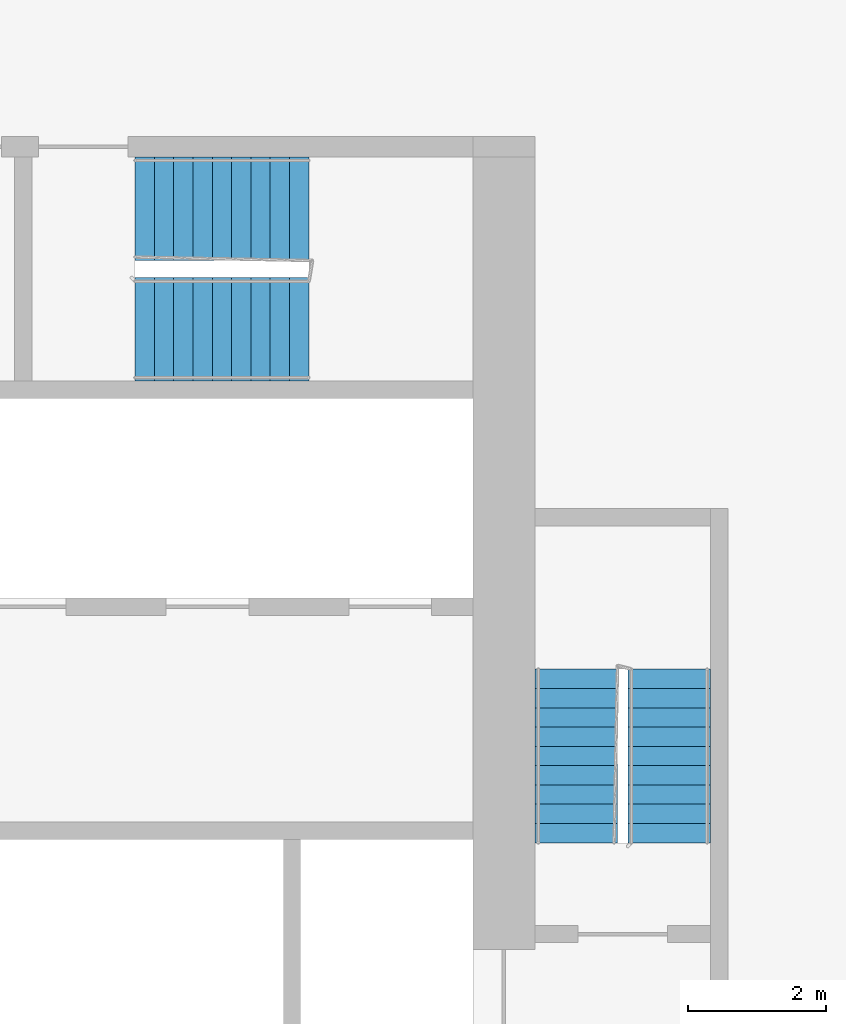
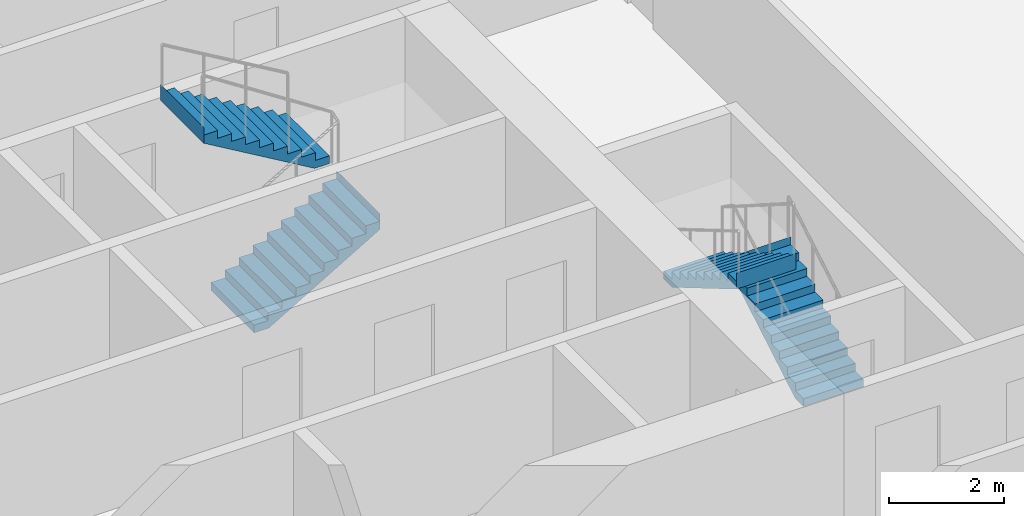
# One storey, part 11 of 12: 4 stair flights, 2 elements without a shape of their own.
"""IFC4 building model written with IfcOpenShell, lengths in metres."""

from ifc_helpers import new_model, si_unit, direction, frame, origin, place, context, subcontext, project, spatial, faceted_brep, material, type_object, element, aggregate, save


model = new_model("IFC4")

# Units and contexts
model_context = context("Model", 3, precision=1e-05, world=origin(), true_north=direction((0.0, 1.0)))
body_context = subcontext(model_context, "Body", "Model", "MODEL_VIEW")
ifc_project = project(units=[si_unit("LENGTHUNIT", "METRE"), si_unit("AREAUNIT", "SQUARE_METRE"), si_unit("VOLUMEUNIT", "CUBIC_METRE"), si_unit("PLANEANGLEUNIT", "RADIAN"), si_unit("MASSUNIT", "GRAM", prefix="KILO")], contexts=[model_context])

# Site, building, storey
site_placement = place(None, origin())
site = spatial("IfcSite", under=ifc_project, at=site_placement, CompositionType="ELEMENT")
building_placement = place(site_placement, origin())
building = spatial("IfcBuilding", under=site, at=building_placement, Name="Kajstack Hotel Tower", CompositionType="ELEMENT")
storey_placement = place(building_placement, frame((0.0, 0.0, 76.5)))
storey = spatial("IfcBuildingStorey", under=building, at=storey_placement, Name="L14", CompositionType="ELEMENT", Elevation=76.5)

# Stair, stair flights
ifc_material = material(Name="Concrete C40/50", Category="concrete")
stair_type_1 = type_object("IfcStairType", Name="Exit stair 1200", PredefinedType="HALF_TURN_STAIR", material=ifc_material)
stair_1_placement = place(storey_placement, origin())
stair_1 = element("IfcStair", 1, at=stair_1_placement, inside=storey, type_object=stair_type_1, Name="L14 stair E1", PredefinedType="HALF_TURN_STAIR")
stair_flight_type_1 = type_object("IfcStairFlightType", Name="Exit stair flight 1200", PredefinedType="STRAIGHT", material=ifc_material)
stair_flight_1_placement = place(storey_placement, frame((33.449951171875, 5.25, 0.0), z_axis=(0.0, 0.0, 1.0), x_axis=(0.0, 1.0, 0.0)))
stair_flight_1 = element("IfcStairFlight", 2, at=stair_flight_1_placement, type_object=stair_flight_type_1, Name="E1 flight 1", NumberOfRisers=10, NumberOfTreads=9, PredefinedType="STRAIGHT", RiserHeight=0.165, TreadLength=0.28, context=body_context, shape_type="Brep", body=[
    faceted_brep([(0.295654296875, -0.60009765625, 0.0), (2.5205078125, -0.60009765625, 1.31103515625), (2.5205078125, -0.60009765625, 1.64990234375), (2.52001953125, -0.60009765625, 1.64990234375), (2.52001953125, -0.60009765625, 1.485107421875), (2.239990234375, -0.60009765625, 1.485107421875), (2.239990234375, -0.60009765625, 1.320068359375), (1.9599609375, -0.60009765625, 1.320068359375), (1.9599609375, -0.60009765625, 1.155029296875), (1.679931640625, -0.60009765625, 1.155029296875), (1.679931640625, -0.60009765625, 0.989990234375), (1.39990234375, -0.60009765625, 0.989990234375), (1.39990234375, -0.60009765625, 0.824951171875), (1.1201171875, -0.60009765625, 0.824951171875), (1.1201171875, -0.60009765625, 0.659912109375), (0.840087890625, -0.60009765625, 0.659912109375), (0.840087890625, -0.60009765625, 0.4951171875), (0.56005859375, -0.60009765625, 0.4951171875), (0.56005859375, -0.60009765625, 0.330078125), (0.280029296875, -0.60009765625, 0.330078125), (0.280029296875, -0.60009765625, 0.1650390625), (-0.00048828125, -0.60009765625, 0.1650390625), (-0.00048828125, -0.60009765625, 0.0), (-0.00048828125, 0.60009765625, 0.0), (-0.00048828125, 0.60009765625, 0.1650390625), (0.280029296875, 0.60009765625, 0.1650390625), (0.280029296875, 0.60009765625, 0.330078125), (0.56005859375, 0.60009765625, 0.330078125), (0.56005859375, 0.60009765625, 0.4951171875), (0.840087890625, 0.60009765625, 0.4951171875), (0.840087890625, 0.60009765625, 0.659912109375), (1.1201171875, 0.60009765625, 0.659912109375), (1.1201171875, 0.60009765625, 0.824951171875), (1.39990234375, 0.60009765625, 0.824951171875), (1.39990234375, 0.60009765625, 0.989990234375), (1.679931640625, 0.60009765625, 0.989990234375), (1.679931640625, 0.60009765625, 1.155029296875), (1.9599609375, 0.60009765625, 1.155029296875), (1.9599609375, 0.60009765625, 1.320068359375), (2.239990234375, 0.60009765625, 1.320068359375), (2.239990234375, 0.60009765625, 1.485107421875), (2.52001953125, 0.60009765625, 1.485107421875), (2.52001953125, 0.60009765625, 1.64990234375), (2.5205078125, 0.60009765625, 1.64990234375), (2.5205078125, 0.60009765625, 1.31103515625), (0.295654296875, 0.60009765625, 0.0), (-0.00048828125, -0.300048828125, 0.1650390625), (-0.00048828125, 0.0, 0.1650390625), (-0.00048828125, 0.300048828125, 0.1650390625), (-0.00048828125, 0.300048828125, 0.0), (-0.00048828125, 0.0, 0.0), (-0.00048828125, -0.300048828125, 0.0), (0.280029296875, -0.300048828125, 0.1650390625), (0.280029296875, 0.0, 0.1650390625), (0.280029296875, 0.300048828125, 0.1650390625), (0.280029296875, -0.300048828125, 0.330078125), (0.280029296875, 0.0, 0.330078125), (0.280029296875, 0.300048828125, 0.330078125), (0.56005859375, -0.300048828125, 0.330078125), (0.56005859375, 0.0, 0.330078125), (0.56005859375, 0.300048828125, 0.330078125), (0.56005859375, -0.300048828125, 0.4951171875), (0.56005859375, 0.0, 0.4951171875), (0.56005859375, 0.300048828125, 0.4951171875), (0.840087890625, -0.300048828125, 0.4951171875), (0.840087890625, 0.0, 0.4951171875), (0.840087890625, 0.300048828125, 0.4951171875), (0.840087890625, -0.300048828125, 0.659912109375), (0.840087890625, 0.0, 0.659912109375), (0.840087890625, 0.300048828125, 0.659912109375), (1.1201171875, -0.300048828125, 0.659912109375), (1.1201171875, 0.0, 0.659912109375), (1.1201171875, 0.300048828125, 0.659912109375), (1.1201171875, -0.300048828125, 0.824951171875), (1.1201171875, 0.0, 0.824951171875), (1.1201171875, 0.300048828125, 0.824951171875), (1.39990234375, -0.300048828125, 0.824951171875), (1.39990234375, 0.0, 0.824951171875), (1.39990234375, 0.300048828125, 0.824951171875), (1.39990234375, -0.300048828125, 0.989990234375), (1.39990234375, 0.0, 0.989990234375), (1.39990234375, 0.300048828125, 0.989990234375), (1.679931640625, -0.300048828125, 0.989990234375), (1.679931640625, 0.0, 0.989990234375), (1.679931640625, 0.300048828125, 0.989990234375), (1.679931640625, -0.300048828125, 1.155029296875), (1.679931640625, 0.0, 1.155029296875), (1.679931640625, 0.300048828125, 1.155029296875), (1.9599609375, -0.300048828125, 1.155029296875), (1.9599609375, 0.0, 1.155029296875), (1.9599609375, 0.300048828125, 1.155029296875), (1.9599609375, -0.300048828125, 1.320068359375), (1.9599609375, 0.0, 1.320068359375), (1.9599609375, 0.300048828125, 1.320068359375), (2.239990234375, -0.300048828125, 1.320068359375), (2.239990234375, 0.0, 1.320068359375), (2.239990234375, 0.300048828125, 1.320068359375), (2.239990234375, -0.300048828125, 1.485107421875), (2.239990234375, 0.0, 1.485107421875), (2.239990234375, 0.300048828125, 1.485107421875), (2.52001953125, -0.300048828125, 1.485107421875), (2.52001953125, 0.0, 1.485107421875), (2.52001953125, 0.300048828125, 1.485107421875), (2.52001953125, -0.300048828125, 1.64990234375), (2.52001953125, 0.0, 1.64990234375), (2.52001953125, 0.300048828125, 1.64990234375), (2.5205078125, -0.300048828125, 1.64990234375), (2.5205078125, 0.0, 1.64990234375), (2.5205078125, 0.300048828125, 1.64990234375), (2.5205078125, -0.300048828125, 1.31103515625), (2.5205078125, 0.0, 1.31103515625), (2.5205078125, 0.300048828125, 1.31103515625), (0.295654296875, -0.300048828125, 0.0), (0.295654296875, 0.0, 0.0), (0.295654296875, 0.300048828125, 0.0)], [[[0, 1, 2, 3, 4, 5, 6, 7, 8, 9, 10, 11, 12, 13, 14, 15, 16, 17, 18, 19, 20, 21, 22]], [[23, 24, 25, 26, 27, 28, 29, 30, 31, 32, 33, 34, 35, 36, 37, 38, 39, 40, 41, 42, 43, 44, 45]], [[21, 46, 47, 48, 24, 23, 49, 50, 51, 22]], [[20, 52, 53, 54, 25, 24, 48, 47, 46, 21]], [[19, 55, 56, 57, 26, 25, 54, 53, 52, 20]], [[18, 58, 59, 60, 27, 26, 57, 56, 55, 19]], [[17, 61, 62, 63, 28, 27, 60, 59, 58, 18]], [[16, 64, 65, 66, 29, 28, 63, 62, 61, 17]], [[15, 67, 68, 69, 30, 29, 66, 65, 64, 16]], [[14, 70, 71, 72, 31, 30, 69, 68, 67, 15]], [[13, 73, 74, 75, 32, 31, 72, 71, 70, 14]], [[12, 76, 77, 78, 33, 32, 75, 74, 73, 13]], [[11, 79, 80, 81, 34, 33, 78, 77, 76, 12]], [[10, 82, 83, 84, 35, 34, 81, 80, 79, 11]], [[9, 85, 86, 87, 36, 35, 84, 83, 82, 10]], [[8, 88, 89, 90, 37, 36, 87, 86, 85, 9]], [[7, 91, 92, 93, 38, 37, 90, 89, 88, 8]], [[6, 94, 95, 96, 39, 38, 93, 92, 91, 7]], [[5, 97, 98, 99, 40, 39, 96, 95, 94, 6]], [[4, 100, 101, 102, 41, 40, 99, 98, 97, 5]], [[3, 103, 104, 105, 42, 41, 102, 101, 100, 4]], [[2, 106, 107, 108, 43, 42, 105, 104, 103, 3]], [[1, 109, 110, 111, 44, 43, 108, 107, 106, 2]], [[0, 112, 113, 114, 45, 44, 111, 110, 109, 1]], [[22, 51, 50, 49, 23, 45, 114, 113, 112, 0]]]),
])
stair_flight_2_placement = place(storey_placement, frame((32.10009765625, 7.77001953125, 1.64990234375), z_axis=(0.0, 0.0, 1.0), x_axis=(0.0, -1.0, 0.0)))
stair_flight_2 = element("IfcStairFlight", 3, at=stair_flight_2_placement, type_object=stair_flight_type_1, Name="E1 flight 2", NumberOfRisers=10, NumberOfTreads=9, PredefinedType="STRAIGHT", RiserHeight=0.165, TreadLength=0.28, context=body_context, shape_type="Brep", body=[
    faceted_brep([(0.295654296875, -0.60009765625, 0.0), (2.5205078125, -0.60009765625, 1.31103515625), (2.5205078125, -0.60009765625, 1.64990234375), (2.52001953125, -0.60009765625, 1.64990234375), (2.52001953125, -0.60009765625, 1.485107421875), (2.239990234375, -0.60009765625, 1.485107421875), (2.239990234375, -0.60009765625, 1.320068359375), (1.9599609375, -0.60009765625, 1.320068359375), (1.9599609375, -0.60009765625, 1.155029296875), (1.679931640625, -0.60009765625, 1.155029296875), (1.679931640625, -0.60009765625, 0.989990234375), (1.39990234375, -0.60009765625, 0.989990234375), (1.39990234375, -0.60009765625, 0.824951171875), (1.1201171875, -0.60009765625, 0.824951171875), (1.1201171875, -0.60009765625, 0.659912109375), (0.840087890625, -0.60009765625, 0.659912109375), (0.840087890625, -0.60009765625, 0.4951171875), (0.56005859375, -0.60009765625, 0.4951171875), (0.56005859375, -0.60009765625, 0.330078125), (0.280029296875, -0.60009765625, 0.330078125), (0.280029296875, -0.60009765625, 0.1650390625), (-0.00048828125, -0.60009765625, 0.1650390625), (-0.00048828125, -0.60009765625, 0.0), (-0.00048828125, 0.60009765625, 0.0), (-0.00048828125, 0.60009765625, 0.1650390625), (0.280029296875, 0.60009765625, 0.1650390625), (0.280029296875, 0.60009765625, 0.330078125), (0.56005859375, 0.60009765625, 0.330078125), (0.56005859375, 0.60009765625, 0.4951171875), (0.840087890625, 0.60009765625, 0.4951171875), (0.840087890625, 0.60009765625, 0.659912109375), (1.1201171875, 0.60009765625, 0.659912109375), (1.1201171875, 0.60009765625, 0.824951171875), (1.39990234375, 0.60009765625, 0.824951171875), (1.39990234375, 0.60009765625, 0.989990234375), (1.679931640625, 0.60009765625, 0.989990234375), (1.679931640625, 0.60009765625, 1.155029296875), (1.9599609375, 0.60009765625, 1.155029296875), (1.9599609375, 0.60009765625, 1.320068359375), (2.239990234375, 0.60009765625, 1.320068359375), (2.239990234375, 0.60009765625, 1.485107421875), (2.52001953125, 0.60009765625, 1.485107421875), (2.52001953125, 0.60009765625, 1.64990234375), (2.5205078125, 0.60009765625, 1.64990234375), (2.5205078125, 0.60009765625, 1.31103515625), (0.295654296875, 0.60009765625, 0.0), (-0.00048828125, -0.300048828125, 0.1650390625), (-0.00048828125, 0.0, 0.1650390625), (-0.00048828125, 0.300048828125, 0.1650390625), (-0.00048828125, 0.300048828125, 0.0), (-0.00048828125, 0.0, 0.0), (-0.00048828125, -0.300048828125, 0.0), (0.280029296875, -0.300048828125, 0.1650390625), (0.280029296875, 0.0, 0.1650390625), (0.280029296875, 0.300048828125, 0.1650390625), (0.280029296875, -0.300048828125, 0.330078125), (0.280029296875, 0.0, 0.330078125), (0.280029296875, 0.300048828125, 0.330078125), (0.56005859375, -0.300048828125, 0.330078125), (0.56005859375, 0.0, 0.330078125), (0.56005859375, 0.300048828125, 0.330078125), (0.56005859375, -0.300048828125, 0.4951171875), (0.56005859375, 0.0, 0.4951171875), (0.56005859375, 0.300048828125, 0.4951171875), (0.840087890625, -0.300048828125, 0.4951171875), (0.840087890625, 0.0, 0.4951171875), (0.840087890625, 0.300048828125, 0.4951171875), (0.840087890625, -0.300048828125, 0.659912109375), (0.840087890625, 0.0, 0.659912109375), (0.840087890625, 0.300048828125, 0.659912109375), (1.1201171875, -0.300048828125, 0.659912109375), (1.1201171875, 0.0, 0.659912109375), (1.1201171875, 0.300048828125, 0.659912109375), (1.1201171875, -0.300048828125, 0.824951171875), (1.1201171875, 0.0, 0.824951171875), (1.1201171875, 0.300048828125, 0.824951171875), (1.39990234375, -0.300048828125, 0.824951171875), (1.39990234375, 0.0, 0.824951171875), (1.39990234375, 0.300048828125, 0.824951171875), (1.39990234375, -0.300048828125, 0.989990234375), (1.39990234375, 0.0, 0.989990234375), (1.39990234375, 0.300048828125, 0.989990234375), (1.679931640625, -0.300048828125, 0.989990234375), (1.679931640625, 0.0, 0.989990234375), (1.679931640625, 0.300048828125, 0.989990234375), (1.679931640625, -0.300048828125, 1.155029296875), (1.679931640625, 0.0, 1.155029296875), (1.679931640625, 0.300048828125, 1.155029296875), (1.9599609375, -0.300048828125, 1.155029296875), (1.9599609375, 0.0, 1.155029296875), (1.9599609375, 0.300048828125, 1.155029296875), (1.9599609375, -0.300048828125, 1.320068359375), (1.9599609375, 0.0, 1.320068359375), (1.9599609375, 0.300048828125, 1.320068359375), (2.239990234375, -0.300048828125, 1.320068359375), (2.239990234375, 0.0, 1.320068359375), (2.239990234375, 0.300048828125, 1.320068359375), (2.239990234375, -0.300048828125, 1.485107421875), (2.239990234375, 0.0, 1.485107421875), (2.239990234375, 0.300048828125, 1.485107421875), (2.52001953125, -0.300048828125, 1.485107421875), (2.52001953125, 0.0, 1.485107421875), (2.52001953125, 0.300048828125, 1.485107421875), (2.52001953125, -0.300048828125, 1.64990234375), (2.52001953125, 0.0, 1.64990234375), (2.52001953125, 0.300048828125, 1.64990234375), (2.5205078125, -0.300048828125, 1.64990234375), (2.5205078125, 0.0, 1.64990234375), (2.5205078125, 0.300048828125, 1.64990234375), (2.5205078125, -0.300048828125, 1.31103515625), (2.5205078125, 0.0, 1.31103515625), (2.5205078125, 0.300048828125, 1.31103515625), (0.295654296875, -0.300048828125, 0.0), (0.295654296875, 0.0, 0.0), (0.295654296875, 0.300048828125, 0.0)], [[[0, 1, 2, 3, 4, 5, 6, 7, 8, 9, 10, 11, 12, 13, 14, 15, 16, 17, 18, 19, 20, 21, 22]], [[23, 24, 25, 26, 27, 28, 29, 30, 31, 32, 33, 34, 35, 36, 37, 38, 39, 40, 41, 42, 43, 44, 45]], [[21, 46, 47, 48, 24, 23, 49, 50, 51, 22]], [[20, 52, 53, 54, 25, 24, 48, 47, 46, 21]], [[19, 55, 56, 57, 26, 25, 54, 53, 52, 20]], [[18, 58, 59, 60, 27, 26, 57, 56, 55, 19]], [[17, 61, 62, 63, 28, 27, 60, 59, 58, 18]], [[16, 64, 65, 66, 29, 28, 63, 62, 61, 17]], [[15, 67, 68, 69, 30, 29, 66, 65, 64, 16]], [[14, 70, 71, 72, 31, 30, 69, 68, 67, 15]], [[13, 73, 74, 75, 32, 31, 72, 71, 70, 14]], [[12, 76, 77, 78, 33, 32, 75, 74, 73, 13]], [[11, 79, 80, 81, 34, 33, 78, 77, 76, 12]], [[10, 82, 83, 84, 35, 34, 81, 80, 79, 11]], [[9, 85, 86, 87, 36, 35, 84, 83, 82, 10]], [[8, 88, 89, 90, 37, 36, 87, 86, 85, 9]], [[7, 91, 92, 93, 38, 37, 90, 89, 88, 8]], [[6, 94, 95, 96, 39, 38, 93, 92, 91, 7]], [[5, 97, 98, 99, 40, 39, 96, 95, 94, 6]], [[4, 100, 101, 102, 41, 40, 99, 98, 97, 5]], [[3, 103, 104, 105, 42, 41, 102, 101, 100, 4]], [[2, 106, 107, 108, 43, 42, 105, 104, 103, 3]], [[1, 109, 110, 111, 44, 43, 108, 107, 106, 2]], [[0, 112, 113, 114, 45, 44, 111, 110, 109, 1]], [[22, 51, 50, 49, 23, 45, 114, 113, 112, 0]]]),
])
aggregate(stair_1, [stair_flight_1, stair_flight_2])

stair_type_2 = type_object("IfcStairType", Name="Exit stair 1500", PredefinedType="HALF_TURN_STAIR", material=ifc_material)
stair_2_placement = place(storey_placement, origin())
stair_2 = element("IfcStair", 4, at=stair_2_placement, inside=storey, type_object=stair_type_2, Name="L14 stair E3", PredefinedType="HALF_TURN_STAIR")
stair_flight_type_2 = type_object("IfcStairFlightType", Name="Exit stair flight 1500", PredefinedType="STRAIGHT", material=ifc_material)
stair_flight_3_placement = place(storey_placement, frame((25.699951171875, 12.699951171875, 0.0), z_axis=(0.0, 0.0, 1.0), x_axis=(1.0, 0.0, 0.0)))
stair_flight_3 = element("IfcStairFlight", 5, at=stair_flight_3_placement, type_object=stair_flight_type_2, Name="E3 flight 1", NumberOfRisers=10, NumberOfTreads=9, PredefinedType="STRAIGHT", RiserHeight=0.165, TreadLength=0.28, context=body_context, shape_type="Brep", body=[
    faceted_brep([(0.295654296875, -0.75, 0.0), (2.5205078125, -0.75, 1.31103515625), (2.5205078125, -0.75, 1.64990234375), (2.52001953125, -0.75, 1.64990234375), (2.52001953125, -0.75, 1.485107421875), (2.239990234375, -0.75, 1.485107421875), (2.239990234375, -0.75, 1.320068359375), (1.9599609375, -0.75, 1.320068359375), (1.9599609375, -0.75, 1.155029296875), (1.679931640625, -0.75, 1.155029296875), (1.679931640625, -0.75, 0.989990234375), (1.39990234375, -0.75, 0.989990234375), (1.39990234375, -0.75, 0.824951171875), (1.1201171875, -0.75, 0.824951171875), (1.1201171875, -0.75, 0.659912109375), (0.840087890625, -0.75, 0.659912109375), (0.840087890625, -0.75, 0.4951171875), (0.56005859375, -0.75, 0.4951171875), (0.56005859375, -0.75, 0.330078125), (0.280029296875, -0.75, 0.330078125), (0.280029296875, -0.75, 0.1650390625), (-0.00048828125, -0.75, 0.1650390625), (-0.00048828125, -0.75, 0.0), (-0.00048828125, 0.75, 0.0), (-0.00048828125, 0.75, 0.1650390625), (0.280029296875, 0.75, 0.1650390625), (0.280029296875, 0.75, 0.330078125), (0.56005859375, 0.75, 0.330078125), (0.56005859375, 0.75, 0.4951171875), (0.840087890625, 0.75, 0.4951171875), (0.840087890625, 0.75, 0.659912109375), (1.1201171875, 0.75, 0.659912109375), (1.1201171875, 0.75, 0.824951171875), (1.39990234375, 0.75, 0.824951171875), (1.39990234375, 0.75, 0.989990234375), (1.679931640625, 0.75, 0.989990234375), (1.679931640625, 0.75, 1.155029296875), (1.9599609375, 0.75, 1.155029296875), (1.9599609375, 0.75, 1.320068359375), (2.239990234375, 0.75, 1.320068359375), (2.239990234375, 0.75, 1.485107421875), (2.52001953125, 0.75, 1.485107421875), (2.52001953125, 0.75, 1.64990234375), (2.5205078125, 0.75, 1.64990234375), (2.5205078125, 0.75, 1.31103515625), (0.295654296875, 0.75, 0.0), (-0.00048828125, -0.375, 0.1650390625), (-0.00048828125, 0.0, 0.1650390625), (-0.00048828125, 0.375, 0.1650390625), (-0.00048828125, 0.375, 0.0), (-0.00048828125, 0.0, 0.0), (-0.00048828125, -0.375, 0.0), (0.280029296875, -0.375, 0.1650390625), (0.280029296875, 0.0, 0.1650390625), (0.280029296875, 0.375, 0.1650390625), (0.280029296875, -0.375, 0.330078125), (0.280029296875, 0.0, 0.330078125), (0.280029296875, 0.375, 0.330078125), (0.56005859375, -0.375, 0.330078125), (0.56005859375, 0.0, 0.330078125), (0.56005859375, 0.375, 0.330078125), (0.56005859375, -0.375, 0.4951171875), (0.56005859375, 0.0, 0.4951171875), (0.56005859375, 0.375, 0.4951171875), (0.840087890625, -0.375, 0.4951171875), (0.840087890625, 0.0, 0.4951171875), (0.840087890625, 0.375, 0.4951171875), (0.840087890625, -0.375, 0.659912109375), (0.840087890625, 0.0, 0.659912109375), (0.840087890625, 0.375, 0.659912109375), (1.1201171875, -0.375, 0.659912109375), (1.1201171875, 0.0, 0.659912109375), (1.1201171875, 0.375, 0.659912109375), (1.1201171875, -0.375, 0.824951171875), (1.1201171875, 0.0, 0.824951171875), (1.1201171875, 0.375, 0.824951171875), (1.39990234375, -0.375, 0.824951171875), (1.39990234375, 0.0, 0.824951171875), (1.39990234375, 0.375, 0.824951171875), (1.39990234375, -0.375, 0.989990234375), (1.39990234375, 0.0, 0.989990234375), (1.39990234375, 0.375, 0.989990234375), (1.679931640625, -0.375, 0.989990234375), (1.679931640625, 0.0, 0.989990234375), (1.679931640625, 0.375, 0.989990234375), (1.679931640625, -0.375, 1.155029296875), (1.679931640625, 0.0, 1.155029296875), (1.679931640625, 0.375, 1.155029296875), (1.9599609375, -0.375, 1.155029296875), (1.9599609375, 0.0, 1.155029296875), (1.9599609375, 0.375, 1.155029296875), (1.9599609375, -0.375, 1.320068359375), (1.9599609375, 0.0, 1.320068359375), (1.9599609375, 0.375, 1.320068359375), (2.239990234375, -0.375, 1.320068359375), (2.239990234375, 0.0, 1.320068359375), (2.239990234375, 0.375, 1.320068359375), (2.239990234375, -0.375, 1.485107421875), (2.239990234375, 0.0, 1.485107421875), (2.239990234375, 0.375, 1.485107421875), (2.52001953125, -0.375, 1.485107421875), (2.52001953125, 0.0, 1.485107421875), (2.52001953125, 0.375, 1.485107421875), (2.52001953125, -0.375, 1.64990234375), (2.52001953125, 0.0, 1.64990234375), (2.52001953125, 0.375, 1.64990234375), (2.5205078125, -0.375, 1.64990234375), (2.5205078125, 0.0, 1.64990234375), (2.5205078125, 0.375, 1.64990234375), (2.5205078125, -0.375, 1.31103515625), (2.5205078125, 0.0, 1.31103515625), (2.5205078125, 0.375, 1.31103515625), (0.295654296875, -0.375, 0.0), (0.295654296875, 0.0, 0.0), (0.295654296875, 0.375, 0.0)], [[[0, 1, 2, 3, 4, 5, 6, 7, 8, 9, 10, 11, 12, 13, 14, 15, 16, 17, 18, 19, 20, 21, 22]], [[23, 24, 25, 26, 27, 28, 29, 30, 31, 32, 33, 34, 35, 36, 37, 38, 39, 40, 41, 42, 43, 44, 45]], [[21, 46, 47, 48, 24, 23, 49, 50, 51, 22]], [[20, 52, 53, 54, 25, 24, 48, 47, 46, 21]], [[19, 55, 56, 57, 26, 25, 54, 53, 52, 20]], [[18, 58, 59, 60, 27, 26, 57, 56, 55, 19]], [[17, 61, 62, 63, 28, 27, 60, 59, 58, 18]], [[16, 64, 65, 66, 29, 28, 63, 62, 61, 17]], [[15, 67, 68, 69, 30, 29, 66, 65, 64, 16]], [[14, 70, 71, 72, 31, 30, 69, 68, 67, 15]], [[13, 73, 74, 75, 32, 31, 72, 71, 70, 14]], [[12, 76, 77, 78, 33, 32, 75, 74, 73, 13]], [[11, 79, 80, 81, 34, 33, 78, 77, 76, 12]], [[10, 82, 83, 84, 35, 34, 81, 80, 79, 11]], [[9, 85, 86, 87, 36, 35, 84, 83, 82, 10]], [[8, 88, 89, 90, 37, 36, 87, 86, 85, 9]], [[7, 91, 92, 93, 38, 37, 90, 89, 88, 8]], [[6, 94, 95, 96, 39, 38, 93, 92, 91, 7]], [[5, 97, 98, 99, 40, 39, 96, 95, 94, 6]], [[4, 100, 101, 102, 41, 40, 99, 98, 97, 5]], [[3, 103, 104, 105, 42, 41, 102, 101, 100, 4]], [[2, 106, 107, 108, 43, 42, 105, 104, 103, 3]], [[1, 109, 110, 111, 44, 43, 108, 107, 106, 2]], [[0, 112, 113, 114, 45, 44, 111, 110, 109, 1]], [[22, 51, 50, 49, 23, 45, 114, 113, 112, 0]]]),
])
stair_flight_4_placement = place(storey_placement, frame((28.219970703125, 14.449951171875, 1.64990234375), z_axis=(0.0, 0.0, 1.0), x_axis=(-1.0, 0.0, 0.0)))
stair_flight_4 = element("IfcStairFlight", 6, at=stair_flight_4_placement, type_object=stair_flight_type_2, Name="E3 flight 2", NumberOfRisers=10, NumberOfTreads=9, PredefinedType="STRAIGHT", RiserHeight=0.165, TreadLength=0.28, context=body_context, shape_type="Brep", body=[
    faceted_brep([(0.295654296875, -0.75, 0.0), (2.5205078125, -0.75, 1.31103515625), (2.5205078125, -0.75, 1.64990234375), (2.52001953125, -0.75, 1.64990234375), (2.52001953125, -0.75, 1.485107421875), (2.239990234375, -0.75, 1.485107421875), (2.239990234375, -0.75, 1.320068359375), (1.9599609375, -0.75, 1.320068359375), (1.9599609375, -0.75, 1.155029296875), (1.679931640625, -0.75, 1.155029296875), (1.679931640625, -0.75, 0.989990234375), (1.39990234375, -0.75, 0.989990234375), (1.39990234375, -0.75, 0.824951171875), (1.1201171875, -0.75, 0.824951171875), (1.1201171875, -0.75, 0.659912109375), (0.840087890625, -0.75, 0.659912109375), (0.840087890625, -0.75, 0.4951171875), (0.56005859375, -0.75, 0.4951171875), (0.56005859375, -0.75, 0.330078125), (0.280029296875, -0.75, 0.330078125), (0.280029296875, -0.75, 0.1650390625), (-0.00048828125, -0.75, 0.1650390625), (-0.00048828125, -0.75, 0.0), (-0.00048828125, 0.75, 0.0), (-0.00048828125, 0.75, 0.1650390625), (0.280029296875, 0.75, 0.1650390625), (0.280029296875, 0.75, 0.330078125), (0.56005859375, 0.75, 0.330078125), (0.56005859375, 0.75, 0.4951171875), (0.840087890625, 0.75, 0.4951171875), (0.840087890625, 0.75, 0.659912109375), (1.1201171875, 0.75, 0.659912109375), (1.1201171875, 0.75, 0.824951171875), (1.39990234375, 0.75, 0.824951171875), (1.39990234375, 0.75, 0.989990234375), (1.679931640625, 0.75, 0.989990234375), (1.679931640625, 0.75, 1.155029296875), (1.9599609375, 0.75, 1.155029296875), (1.9599609375, 0.75, 1.320068359375), (2.239990234375, 0.75, 1.320068359375), (2.239990234375, 0.75, 1.485107421875), (2.52001953125, 0.75, 1.485107421875), (2.52001953125, 0.75, 1.64990234375), (2.5205078125, 0.75, 1.64990234375), (2.5205078125, 0.75, 1.31103515625), (0.295654296875, 0.75, 0.0), (-0.00048828125, -0.375, 0.1650390625), (-0.00048828125, 0.0, 0.1650390625), (-0.00048828125, 0.375, 0.1650390625), (-0.00048828125, 0.375, 0.0), (-0.00048828125, 0.0, 0.0), (-0.00048828125, -0.375, 0.0), (0.280029296875, -0.375, 0.1650390625), (0.280029296875, 0.0, 0.1650390625), (0.280029296875, 0.375, 0.1650390625), (0.280029296875, -0.375, 0.330078125), (0.280029296875, 0.0, 0.330078125), (0.280029296875, 0.375, 0.330078125), (0.56005859375, -0.375, 0.330078125), (0.56005859375, 0.0, 0.330078125), (0.56005859375, 0.375, 0.330078125), (0.56005859375, -0.375, 0.4951171875), (0.56005859375, 0.0, 0.4951171875), (0.56005859375, 0.375, 0.4951171875), (0.840087890625, -0.375, 0.4951171875), (0.840087890625, 0.0, 0.4951171875), (0.840087890625, 0.375, 0.4951171875), (0.840087890625, -0.375, 0.659912109375), (0.840087890625, 0.0, 0.659912109375), (0.840087890625, 0.375, 0.659912109375), (1.1201171875, -0.375, 0.659912109375), (1.1201171875, 0.0, 0.659912109375), (1.1201171875, 0.375, 0.659912109375), (1.1201171875, -0.375, 0.824951171875), (1.1201171875, 0.0, 0.824951171875), (1.1201171875, 0.375, 0.824951171875), (1.39990234375, -0.375, 0.824951171875), (1.39990234375, 0.0, 0.824951171875), (1.39990234375, 0.375, 0.824951171875), (1.39990234375, -0.375, 0.989990234375), (1.39990234375, 0.0, 0.989990234375), (1.39990234375, 0.375, 0.989990234375), (1.679931640625, -0.375, 0.989990234375), (1.679931640625, 0.0, 0.989990234375), (1.679931640625, 0.375, 0.989990234375), (1.679931640625, -0.375, 1.155029296875), (1.679931640625, 0.0, 1.155029296875), (1.679931640625, 0.375, 1.155029296875), (1.9599609375, -0.375, 1.155029296875), (1.9599609375, 0.0, 1.155029296875), (1.9599609375, 0.375, 1.155029296875), (1.9599609375, -0.375, 1.320068359375), (1.9599609375, 0.0, 1.320068359375), (1.9599609375, 0.375, 1.320068359375), (2.239990234375, -0.375, 1.320068359375), (2.239990234375, 0.0, 1.320068359375), (2.239990234375, 0.375, 1.320068359375), (2.239990234375, -0.375, 1.485107421875), (2.239990234375, 0.0, 1.485107421875), (2.239990234375, 0.375, 1.485107421875), (2.52001953125, -0.375, 1.485107421875), (2.52001953125, 0.0, 1.485107421875), (2.52001953125, 0.375, 1.485107421875), (2.52001953125, -0.375, 1.64990234375), (2.52001953125, 0.0, 1.64990234375), (2.52001953125, 0.375, 1.64990234375), (2.5205078125, -0.375, 1.64990234375), (2.5205078125, 0.0, 1.64990234375), (2.5205078125, 0.375, 1.64990234375), (2.5205078125, -0.375, 1.31103515625), (2.5205078125, 0.0, 1.31103515625), (2.5205078125, 0.375, 1.31103515625), (0.295654296875, -0.375, 0.0), (0.295654296875, 0.0, 0.0), (0.295654296875, 0.375, 0.0)], [[[0, 1, 2, 3, 4, 5, 6, 7, 8, 9, 10, 11, 12, 13, 14, 15, 16, 17, 18, 19, 20, 21, 22]], [[23, 24, 25, 26, 27, 28, 29, 30, 31, 32, 33, 34, 35, 36, 37, 38, 39, 40, 41, 42, 43, 44, 45]], [[21, 46, 47, 48, 24, 23, 49, 50, 51, 22]], [[20, 52, 53, 54, 25, 24, 48, 47, 46, 21]], [[19, 55, 56, 57, 26, 25, 54, 53, 52, 20]], [[18, 58, 59, 60, 27, 26, 57, 56, 55, 19]], [[17, 61, 62, 63, 28, 27, 60, 59, 58, 18]], [[16, 64, 65, 66, 29, 28, 63, 62, 61, 17]], [[15, 67, 68, 69, 30, 29, 66, 65, 64, 16]], [[14, 70, 71, 72, 31, 30, 69, 68, 67, 15]], [[13, 73, 74, 75, 32, 31, 72, 71, 70, 14]], [[12, 76, 77, 78, 33, 32, 75, 74, 73, 13]], [[11, 79, 80, 81, 34, 33, 78, 77, 76, 12]], [[10, 82, 83, 84, 35, 34, 81, 80, 79, 11]], [[9, 85, 86, 87, 36, 35, 84, 83, 82, 10]], [[8, 88, 89, 90, 37, 36, 87, 86, 85, 9]], [[7, 91, 92, 93, 38, 37, 90, 89, 88, 8]], [[6, 94, 95, 96, 39, 38, 93, 92, 91, 7]], [[5, 97, 98, 99, 40, 39, 96, 95, 94, 6]], [[4, 100, 101, 102, 41, 40, 99, 98, 97, 5]], [[3, 103, 104, 105, 42, 41, 102, 101, 100, 4]], [[2, 106, 107, 108, 43, 42, 105, 104, 103, 3]], [[1, 109, 110, 111, 44, 43, 108, 107, 106, 2]], [[0, 112, 113, 114, 45, 44, 111, 110, 109, 1]], [[22, 51, 50, 49, 23, 45, 114, 113, 112, 0]]]),
])
aggregate(stair_2, [stair_flight_3, stair_flight_4])

save(model, "model.ifc")
